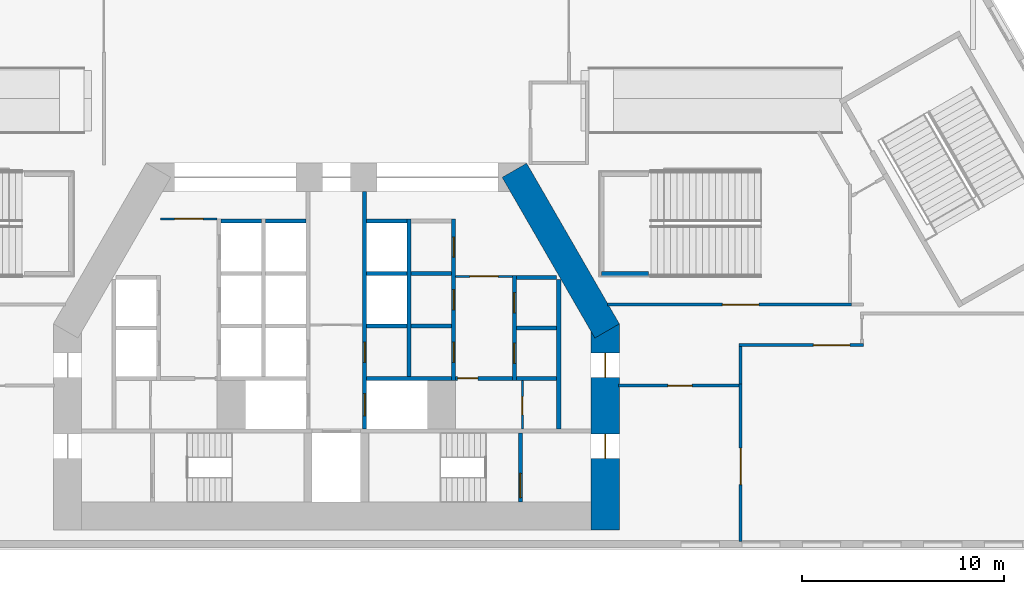
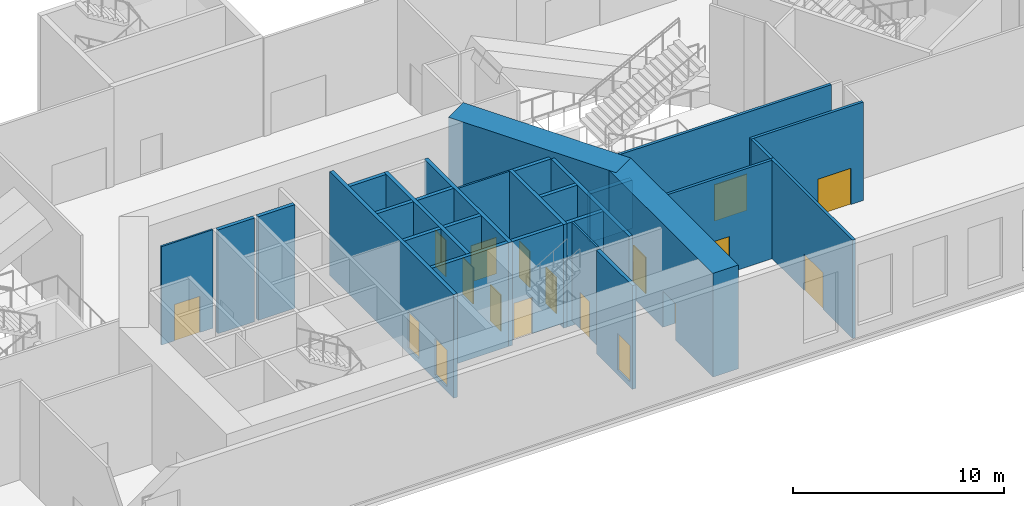
# One storey, part 4 of 16: 29 walls, 18 doors, 18 openings.
"""IFC4 building model written with IfcOpenShell, lengths in metres."""

from ifc_helpers import new_model, si_unit, direction, frame, frame_2d, origin, place, context, subcontext, project, spatial, rectangle, extrude, material, layer, layer_set, type_object, element, fill, save


model = new_model("IFC4")

# Units and contexts
model_context = context("Model", 3, precision=1e-05, world=origin(), true_north=direction((0.0, 1.0)))
body_context = subcontext(model_context, "Body", "Model", "MODEL_VIEW")
ifc_project = project(units=[si_unit("LENGTHUNIT", "METRE"), si_unit("AREAUNIT", "SQUARE_METRE"), si_unit("VOLUMEUNIT", "CUBIC_METRE"), si_unit("PLANEANGLEUNIT", "RADIAN"), si_unit("MASSUNIT", "GRAM", prefix="KILO")], contexts=[model_context])

# Site, building, storey
site_placement = place(None, origin())
site = spatial("IfcSite", under=ifc_project, at=site_placement, CompositionType="ELEMENT")
building_placement = place(site_placement, origin())
building = spatial("IfcBuilding", under=site, at=building_placement, Name="Fogline Exchange Tower", CompositionType="ELEMENT")
storey_placement = place(building_placement, frame((0.0, 0.0, 14.0)))
storey = spatial("IfcBuildingStorey", under=building, at=storey_placement, Name="L02", CompositionType="ELEMENT", Elevation=14.0)

# Wall, opening, door
ifc_material_1 = material(Name="Blockwork partition", Category="masonry")
ifc_layer_1 = layer(ifc_material_1, 0.10009765625)
ifc_layer_set_1 = layer_set([ifc_layer_1], Name="CW10")
wall_type_1 = type_object("IfcWallType", Name="CW10", PredefinedType="PARTITIONING", material=ifc_layer_set_1)
wall_1_placement = place(storey_placement, frame((-8.699951171875, 16.25, 0.0), z_axis=(0.0, 0.0, 1.0), x_axis=(1.0, 0.0, 0.0)))
wall_1 = element("IfcWall", 1, at=wall_1_placement, inside=storey, type_object=wall_type_1, Name="Lift lobby partition", PredefinedType="PARTITIONING", context=body_context, shape_type="SweptSolid", body=[
    extrude(rectangle(XDim=2.800048828125, YDim=0.10009765625, at=frame_2d((1.39990234375, 0.0))), origin(), (0.0, 0.0, 1.0), 5.699951171875),
])
opening_1_placement = place(wall_1_placement, frame((0.699951171875, 0.0, 0.0)))
opening_1 = element("IfcOpeningElement", 2, at=opening_1_placement, cuts=wall_1, Name="Opening P02-C007", PredefinedType="OPENING", context=body_context, shape_type="SweptSolid", body=[
    extrude(rectangle(XDim=1.39990234375, YDim=2.10009765625, at=frame_2d((0.699951171875, 1.050048828125))), frame((0.0, 0.06005859375, 0.0), z_axis=(0.0, -1.0, 0.0), x_axis=(1.0, 0.0, 0.0)), (0.0, 0.0, 1.0), 0.1201171875),
])
ifc_material_2 = material(Name="Steel and timber fire door", Category="steel")
door_type_1 = type_object("IfcDoorType", Name="D-LB1", OperationType="DOUBLE_DOOR_SINGLE_SWING", PredefinedType="DOOR", material=ifc_material_2)
door_1_placement = place(opening_1_placement, origin())
door_1 = element("IfcDoor", 3, at=door_1_placement, inside=storey, type_object=door_type_1, Name="Door to lift lobby", OperationType="DOUBLE_DOOR_SINGLE_SWING", OverallHeight=2.10009765625, OverallWidth=1.39990234375, PredefinedType="DOOR", context=body_context, shape_type="SweptSolid", body=[
    extrude(rectangle(XDim=1.39990234375, YDim=2.10009765625, at=frame_2d((0.699951171875, 1.050048828125))), frame((0.0, 0.02490234375, 0.0), z_axis=(0.0, -1.0, 0.0), x_axis=(1.0, 0.0, 0.0)), (0.0, 0.0, 1.0), 0.050048828125),
])
fill(opening_1, door_1)

wall_2_placement = place(storey_placement, frame((5.89990234375, 13.39990234375, 0.0), z_axis=(0.0, 0.0, 1.0), x_axis=(1.0, 0.0, 0.0)))
wall_2 = element("IfcWall", 4, at=wall_2_placement, inside=storey, type_object=wall_type_1, Name="Lift lobby partition", PredefinedType="PARTITIONING", context=body_context, shape_type="SweptSolid", body=[
    extrude(rectangle(XDim=2.800048828125, YDim=0.10009765625, at=frame_2d((1.39990234375, 0.0))), origin(), (0.0, 0.0, 1.0), 5.699951171875),
])
opening_2_placement = place(wall_2_placement, frame((0.699951171875, 0.0, 0.0)))
opening_2 = element("IfcOpeningElement", 5, at=opening_2_placement, cuts=wall_2, Name="Opening P02-C013", PredefinedType="OPENING", context=body_context, shape_type="SweptSolid", body=[
    extrude(rectangle(XDim=1.39990234375, YDim=2.10009765625, at=frame_2d((0.699951171875, 1.050048828125))), frame((0.0, 0.06005859375, 0.0), z_axis=(0.0, -1.0, 0.0), x_axis=(1.0, 0.0, 0.0)), (0.0, 0.0, 1.0), 0.1201171875),
])
door_2_placement = place(opening_2_placement, frame((1.39990234375, 0.0, 0.0), z_axis=(0.0, 0.0, 1.0), x_axis=(-1.0, 0.0, 0.0)))
door_2 = element("IfcDoor", 6, at=door_2_placement, inside=storey, type_object=door_type_1, Name="Door to lift lobby", OperationType="DOUBLE_DOOR_SINGLE_SWING", OverallHeight=2.10009765625, OverallWidth=1.39990234375, PredefinedType="DOOR", context=body_context, shape_type="SweptSolid", body=[
    extrude(rectangle(XDim=1.39990234375, YDim=2.10009765625, at=frame_2d((0.699951171875, 1.050048828125))), frame((0.0, 0.02490234375, 0.0), z_axis=(0.0, -1.0, 0.0), x_axis=(1.0, 0.0, 0.0)), (0.0, 0.0, 1.0), 0.050048828125),
])
fill(opening_2, door_2)

wall_3_placement = place(storey_placement, frame((9.199951171875, 5.85009765625, 0.0), z_axis=(0.0, 0.0, 1.0), x_axis=(0.0, 1.0, 0.0)))
wall_3 = element("IfcWall", 7, at=wall_3_placement, inside=storey, type_object=wall_type_1, Name="WC partition", PredefinedType="PARTITIONING", context=body_context, shape_type="SweptSolid", body=[
    extrude(rectangle(XDim=2.39990234375, YDim=0.10009765625, at=frame_2d((1.199951171875, 0.0))), origin(), (0.0, 0.0, 1.0), 5.699951171875),
])
opening_3_placement = place(wall_3_placement, frame((0.699951171875, 0.0, 0.0)))
opening_3 = element("IfcOpeningElement", 8, at=opening_3_placement, cuts=wall_3, Name="Opening P02-C015", PredefinedType="OPENING", context=body_context, shape_type="SweptSolid", body=[
    extrude(rectangle(XDim=0.89990234375, YDim=2.10009765625, at=frame_2d((0.449951171875, 1.050048828125))), frame((0.0, 0.06005859375, 0.0), z_axis=(0.0, -1.0, 0.0), x_axis=(1.0, 0.0, 0.0)), (0.0, 0.0, 1.0), 0.1201171875),
])
door_type_2 = type_object("IfcDoorType", Name="D-CS1", OperationType="SINGLE_SWING_RIGHT", PredefinedType="DOOR", material=ifc_material_2)
door_3_placement = place(opening_3_placement, frame((0.89990234375, 0.0, 0.0), z_axis=(0.0, 0.0, 1.0), x_axis=(-1.0, 0.0, 0.0)))
door_3 = element("IfcDoor", 9, at=door_3_placement, inside=storey, type_object=door_type_2, Name="Door to Cleaner's Store", OperationType="SINGLE_SWING_RIGHT", OverallHeight=2.10009765625, OverallWidth=0.89990234375, PredefinedType="DOOR", context=body_context, shape_type="SweptSolid", body=[
    extrude(rectangle(XDim=0.89990234375, YDim=2.10009765625, at=frame_2d((0.449951171875, 1.050048828125))), frame((0.0, 0.02490234375, 0.0), z_axis=(0.0, -1.0, 0.0), x_axis=(1.0, 0.0, 0.0)), (0.0, 0.0, 1.0), 0.050048828125),
])
fill(opening_3, door_3)

# Wall
ifc_material_3 = material(Name="Concrete C40", Category="concrete")
ifc_layer_2 = layer(ifc_material_3, 0.199951171875)
ifc_layer_set_2 = layer_set([ifc_layer_2], Name="CW20")
wall_type_2 = type_object("IfcWallType", Name="CW20", PredefinedType="SOLIDWALL", material=ifc_layer_set_2)
wall_4_placement = place(storey_placement, frame((11.0, 5.85009765625, 0.0), z_axis=(0.0, 0.0, 1.0), x_axis=(0.0, 1.0, 0.0)))
element("IfcWall", 10, at=wall_4_placement, inside=storey, type_object=wall_type_2, Name="Service room wall", PredefinedType="SOLIDWALL", context=body_context, shape_type="SweptSolid", body=[
    extrude(rectangle(XDim=7.39990234375, YDim=0.199951171875, at=frame_2d((3.699951171875, 0.0))), origin(), (0.0, 0.0, 1.0), 5.699951171875),
])

# Wall, opening, door
wall_5_placement = place(storey_placement, frame((5.89990234375, 8.35009765625, 0.0), z_axis=(0.0, 0.0, 1.0), x_axis=(1.0, 0.0, 0.0)))
wall_5 = element("IfcWall", 11, at=wall_5_placement, inside=storey, type_object=wall_type_2, Name="WC wall", PredefinedType="SOLIDWALL", context=body_context, shape_type="SweptSolid", body=[
    extrude(rectangle(XDim=2.800048828125, YDim=0.199951171875, at=frame_2d((1.39990234375, 0.0))), origin(), (0.0, 0.0, 1.0), 5.699951171875),
])
opening_4_placement = place(wall_5_placement, frame((0.10009765625, 0.0, 0.0)))
opening_4 = element("IfcOpeningElement", 12, at=opening_4_placement, cuts=wall_5, Name="Opening P02-C014", PredefinedType="OPENING", context=body_context, shape_type="SweptSolid", body=[
    extrude(rectangle(XDim=1.0, YDim=2.10009765625, at=frame_2d((0.5, 1.050048828125))), frame((0.0, 0.10986328125, 0.0), z_axis=(0.0, -1.0, 0.0), x_axis=(1.0, 0.0, 0.0)), (0.0, 0.0, 1.0), 0.219970703125),
])
door_type_3 = type_object("IfcDoorType", Name="D-WC1", OperationType="SINGLE_SWING_LEFT", PredefinedType="DOOR", material=ifc_material_2)
door_4_placement = place(opening_4_placement, frame((1.0, 0.0, 0.0), z_axis=(0.0, 0.0, 1.0), x_axis=(-1.0, 0.0, 0.0)))
door_4 = element("IfcDoor", 13, at=door_4_placement, inside=storey, type_object=door_type_3, Name="Door to Women's WC", OperationType="SINGLE_SWING_RIGHT", OverallHeight=2.10009765625, OverallWidth=1.0, PredefinedType="DOOR", context=body_context, shape_type="SweptSolid", body=[
    extrude(rectangle(XDim=1.0, YDim=2.10009765625, at=frame_2d((0.5, 1.050048828125))), frame((0.0, 0.02490234375, 0.0), z_axis=(0.0, -1.0, 0.0), x_axis=(1.0, 0.0, 0.0)), (0.0, 0.0, 1.0), 0.050048828125),
])
fill(opening_4, door_4)

ifc_layer_3 = layer(ifc_material_3, 0.199951171875)
ifc_layer_set_3 = layer_set([ifc_layer_3], Name="CW20R")
wall_type_3 = type_object("IfcWallType", Name="CW20R", PredefinedType="SOLIDWALL", material=ifc_layer_set_3)
wall_6_placement = place(storey_placement, frame((9.10009765625, 2.25, -0.300048828125), z_axis=(0.0, 0.0, 1.0), x_axis=(0.0, 1.0, 0.0)))
wall_6 = element("IfcWall", 14, at=wall_6_placement, inside=storey, type_object=wall_type_3, Name="Stair enclosure wall", PredefinedType="SOLIDWALL", context=body_context, shape_type="SweptSolid", body=[
    extrude(rectangle(XDim=3.39990234375, YDim=0.199951171875, at=frame_2d((1.699951171875, 0.0))), origin(), (0.0, 0.0, 1.0), 6.0),
])
opening_5_placement = place(wall_6_placement, frame((0.199951171875, 0.0, 0.300048828125)))
opening_5 = element("IfcOpeningElement", 15, at=opening_5_placement, cuts=wall_6, Name="Opening P02-C017", PredefinedType="OPENING", context=body_context, shape_type="SweptSolid", body=[
    extrude(rectangle(XDim=1.199951171875, YDim=2.10009765625, at=frame_2d((0.60009765625, 1.050048828125))), frame((0.0, 0.10986328125, 0.0), z_axis=(0.0, -1.0, 0.0), x_axis=(1.0, 0.0, 0.0)), (0.0, 0.0, 1.0), 0.219970703125),
])
door_type_4 = type_object("IfcDoorType", Name="D-ST1", OperationType="SINGLE_SWING_LEFT", PredefinedType="DOOR", material=ifc_material_2)
door_5_placement = place(opening_5_placement, origin())
door_5 = element("IfcDoor", 16, at=door_5_placement, inside=storey, type_object=door_type_4, Name="Stair door ST2", OperationType="SINGLE_SWING_LEFT", OverallHeight=2.10009765625, OverallWidth=1.199951171875, PredefinedType="DOOR", context=body_context, shape_type="SweptSolid", body=[
    extrude(rectangle(XDim=1.199951171875, YDim=2.10009765625, at=frame_2d((0.60009765625, 1.050048828125))), frame((0.0, 0.02490234375, 0.0), z_axis=(0.0, -1.0, 0.0), x_axis=(1.0, 0.0, 0.0)), (0.0, 0.0, 1.0), 0.050048828125),
])
fill(opening_5, door_5)

# Wall, openings, doors
ifc_layer_4 = layer(ifc_material_3, 0.199951171875)
ifc_layer_set_4 = layer_set([ifc_layer_4], Name="CW20S")
wall_type_4 = type_object("IfcWallType", Name="CW20S", PredefinedType="SOLIDWALL", material=ifc_layer_set_4)
wall_7_placement = place(storey_placement, frame((8.800048828125, 8.25, -0.300048828125), z_axis=(0.0, 0.0, 1.0), x_axis=(0.0, 1.0, 0.0)))
wall_7 = element("IfcWall", 17, at=wall_7_placement, inside=storey, type_object=wall_type_4, Name="Lift shaft wall", PredefinedType="SOLIDWALL", context=body_context, shape_type="SweptSolid", body=[
    extrude(rectangle(XDim=5.199951171875, YDim=0.199951171875, at=frame_2d((2.60009765625, 0.0))), origin(), (0.0, 0.0, 1.0), 6.0),
])
opening_6_placement = place(wall_7_placement, frame((0.85009765625, 0.0, 0.300048828125)))
opening_6 = element("IfcOpeningElement", 18, at=opening_6_placement, cuts=wall_7, Name="Opening P02-C001", PredefinedType="OPENING", context=body_context, shape_type="SweptSolid", body=[
    extrude(rectangle(XDim=1.0, YDim=2.10009765625, at=frame_2d((0.5, 1.050048828125))), frame((0.0, 0.10986328125, 0.0), z_axis=(0.0, -1.0, 0.0), x_axis=(1.0, 0.0, 0.0)), (0.0, 0.0, 1.0), 0.219970703125),
])
opening_7_placement = place(wall_7_placement, frame((3.35009765625, 0.0, 0.300048828125)))
opening_7 = element("IfcOpeningElement", 19, at=opening_7_placement, cuts=wall_7, Name="Opening P02-C002", PredefinedType="OPENING", context=body_context, shape_type="SweptSolid", body=[
    extrude(rectangle(XDim=1.0, YDim=2.10009765625, at=frame_2d((0.5, 1.050048828125))), frame((0.0, 0.10986328125, 0.0), z_axis=(0.0, -1.0, 0.0), x_axis=(1.0, 0.0, 0.0)), (0.0, 0.0, 1.0), 0.219970703125),
])
door_type_5 = type_object("IfcDoorType", Name="D-RM1", OperationType="SINGLE_SWING_LEFT", PredefinedType="DOOR", material=ifc_material_2)
door_6_placement = place(opening_6_placement, frame((1.0, 0.0, 0.0), z_axis=(0.0, 0.0, 1.0), x_axis=(-1.0, 0.0, 0.0)))
door_6 = element("IfcDoor", 20, at=door_6_placement, inside=storey, type_object=door_type_5, Name="Door to Records Store", OperationType="SINGLE_SWING_LEFT", OverallHeight=2.10009765625, OverallWidth=1.0, PredefinedType="DOOR", context=body_context, shape_type="SweptSolid", body=[
    extrude(rectangle(XDim=1.0, YDim=2.10009765625, at=frame_2d((0.5, 1.050048828125))), frame((0.0, 0.02490234375, 0.0), z_axis=(0.0, -1.0, 0.0), x_axis=(1.0, 0.0, 0.0)), (0.0, 0.0, 1.0), 0.050048828125),
])
fill(opening_6, door_6)
door_7_placement = place(opening_7_placement, frame((1.0, 0.0, 0.0), z_axis=(0.0, 0.0, 1.0), x_axis=(-1.0, 0.0, 0.0)))
door_7 = element("IfcDoor", 21, at=door_7_placement, inside=storey, type_object=door_type_5, Name="Door to Riser Room", OperationType="SINGLE_SWING_LEFT", OverallHeight=2.10009765625, OverallWidth=1.0, PredefinedType="DOOR", context=body_context, shape_type="SweptSolid", body=[
    extrude(rectangle(XDim=1.0, YDim=2.10009765625, at=frame_2d((0.5, 1.050048828125))), frame((0.0, 0.02490234375, 0.0), z_axis=(0.0, -1.0, 0.0), x_axis=(1.0, 0.0, 0.0)), (0.0, 0.0, 1.0), 0.050048828125),
])
fill(opening_7, door_7)

wall_8_placement = place(storey_placement, frame((5.800048828125, 8.25, -0.300048828125), z_axis=(0.0, 0.0, 1.0), x_axis=(0.0, 1.0, 0.0)))
wall_8 = element("IfcWall", 22, at=wall_8_placement, inside=storey, type_object=wall_type_4, Name="Lift shaft wall", PredefinedType="SOLIDWALL", context=body_context, shape_type="SweptSolid", body=[
    extrude(rectangle(XDim=8.0, YDim=0.199951171875, at=frame_2d((4.0, 0.0))), origin(), (0.0, 0.0, 1.0), 6.0),
])
opening_8_placement = place(wall_8_placement, frame((0.89990234375, 0.0, 0.300048828125)))
opening_8 = element("IfcOpeningElement", 23, at=opening_8_placement, cuts=wall_8, Name="Opening P02-C003", PredefinedType="OPENING", context=body_context, shape_type="SweptSolid", body=[
    extrude(rectangle(XDim=1.0, YDim=2.10009765625, at=frame_2d((0.5, 1.050048828125))), frame((0.0, 0.10986328125, 0.0), z_axis=(0.0, -1.0, 0.0), x_axis=(1.0, 0.0, 0.0)), (0.0, 0.0, 1.0), 0.219970703125),
])
opening_9_placement = place(wall_8_placement, frame((3.5, 0.0, 0.300048828125)))
opening_9 = element("IfcOpeningElement", 24, at=opening_9_placement, cuts=wall_8, Name="Opening P02-C004", PredefinedType="OPENING", context=body_context, shape_type="SweptSolid", body=[
    extrude(rectangle(XDim=1.0, YDim=2.10009765625, at=frame_2d((0.5, 1.050048828125))), frame((0.0, 0.10986328125, 0.0), z_axis=(0.0, -1.0, 0.0), x_axis=(1.0, 0.0, 0.0)), (0.0, 0.0, 1.0), 0.219970703125),
])
opening_10_placement = place(wall_8_placement, frame((6.10009765625, 0.0, 0.300048828125)))
opening_10 = element("IfcOpeningElement", 25, at=opening_10_placement, cuts=wall_8, Name="Opening P02-C005", PredefinedType="OPENING", context=body_context, shape_type="SweptSolid", body=[
    extrude(rectangle(XDim=1.0, YDim=2.10009765625, at=frame_2d((0.5, 1.050048828125))), frame((0.0, 0.10986328125, 0.0), z_axis=(0.0, -1.0, 0.0), x_axis=(1.0, 0.0, 0.0)), (0.0, 0.0, 1.0), 0.219970703125),
])
door_8_placement = place(opening_8_placement, origin())
door_8 = element("IfcDoor", 26, at=door_8_placement, inside=storey, type_object=door_type_5, Name="Door to Plant Room", OperationType="SINGLE_SWING_RIGHT", OverallHeight=2.10009765625, OverallWidth=1.0, PredefinedType="DOOR", context=body_context, shape_type="SweptSolid", body=[
    extrude(rectangle(XDim=1.0, YDim=2.10009765625, at=frame_2d((0.5, 1.050048828125))), frame((0.0, 0.02490234375, 0.0), z_axis=(0.0, -1.0, 0.0), x_axis=(1.0, 0.0, 0.0)), (0.0, 0.0, 1.0), 0.050048828125),
])
fill(opening_8, door_8)
door_9_placement = place(opening_9_placement, origin())
door_9 = element("IfcDoor", 27, at=door_9_placement, inside=storey, type_object=door_type_5, Name="Door to Cable Store", OperationType="SINGLE_SWING_LEFT", OverallHeight=2.10009765625, OverallWidth=1.0, PredefinedType="DOOR", context=body_context, shape_type="SweptSolid", body=[
    extrude(rectangle(XDim=1.0, YDim=2.10009765625, at=frame_2d((0.5, 1.050048828125))), frame((0.0, 0.02490234375, 0.0), z_axis=(0.0, -1.0, 0.0), x_axis=(1.0, 0.0, 0.0)), (0.0, 0.0, 1.0), 0.050048828125),
])
fill(opening_9, door_9)
door_10_placement = place(opening_10_placement, origin())
door_10 = element("IfcDoor", 28, at=door_10_placement, inside=storey, type_object=door_type_5, Name="Door to Server Room", OperationType="SINGLE_SWING_LEFT", OverallHeight=2.10009765625, OverallWidth=1.0, PredefinedType="DOOR", context=body_context, shape_type="SweptSolid", body=[
    extrude(rectangle(XDim=1.0, YDim=2.10009765625, at=frame_2d((0.5, 1.050048828125))), frame((0.0, 0.02490234375, 0.0), z_axis=(0.0, -1.0, 0.0), x_axis=(1.0, 0.0, 0.0)), (0.0, 0.0, 1.0), 0.050048828125),
])
fill(opening_10, door_10)

# Wall
wall_9_placement = place(storey_placement, frame((3.60009765625, 8.449951171875, -0.300048828125), z_axis=(0.0, 0.0, 1.0), x_axis=(0.0, 1.0, 0.0)))
element("IfcWall", 29, at=wall_9_placement, inside=storey, type_object=wall_type_4, Name="Lift shaft wall", PredefinedType="SOLIDWALL", context=body_context, shape_type="SweptSolid", body=[
    extrude(rectangle(XDim=7.800048828125, YDim=0.199951171875, at=frame_2d((3.89990234375, 0.0))), origin(), (0.0, 0.0, 1.0), 6.0),
])

# Wall, openings, doors
wall_10_placement = place(storey_placement, frame((1.39990234375, 5.85009765625, -0.300048828125), z_axis=(0.0, 0.0, 1.0), x_axis=(0.0, 1.0, 0.0)))
wall_10 = element("IfcWall", 30, at=wall_10_placement, inside=storey, type_object=wall_type_4, Name="Lift lobby wall", PredefinedType="SOLIDWALL", context=body_context, shape_type="SweptSolid", body=[
    extrude(rectangle(XDim=11.75, YDim=0.199951171875, at=frame_2d((5.875, 0.0))), origin(), (0.0, 0.0, 1.0), 6.0),
])
opening_11_placement = place(wall_10_placement, frame((0.64990234375, 0.0, 0.300048828125)))
opening_11 = element("IfcOpeningElement", 31, at=opening_11_placement, cuts=wall_10, Name="Opening P02-LD08", PredefinedType="OPENING", context=body_context, shape_type="SweptSolid", body=[
    extrude(rectangle(XDim=1.10009765625, YDim=2.10009765625, at=frame_2d((0.550048828125, 1.050048828125))), frame((0.0, 0.10986328125, 0.0), z_axis=(0.0, -1.0, 0.0), x_axis=(1.0, 0.0, 0.0)), (0.0, 0.0, 1.0), 0.219970703125),
])
opening_12_placement = place(wall_10_placement, frame((3.300048828125, 0.0, 0.300048828125)))
opening_12 = element("IfcOpeningElement", 32, at=opening_12_placement, cuts=wall_10, Name="Opening P02-C006", PredefinedType="OPENING", context=body_context, shape_type="SweptSolid", body=[
    extrude(rectangle(XDim=1.0, YDim=2.10009765625, at=frame_2d((0.5, 1.050048828125))), frame((0.0, 0.10986328125, 0.0), z_axis=(0.0, -1.0, 0.0), x_axis=(1.0, 0.0, 0.0)), (0.0, 0.0, 1.0), 0.219970703125),
])
door_11_placement = place(opening_12_placement, frame((1.0, 0.0, 0.0), z_axis=(0.0, 0.0, 1.0), x_axis=(-1.0, 0.0, 0.0)))
door_11 = element("IfcDoor", 33, at=door_11_placement, inside=storey, type_object=door_type_5, Name="Door to Archive Store", OperationType="SINGLE_SWING_RIGHT", OverallHeight=2.10009765625, OverallWidth=1.0, PredefinedType="DOOR", context=body_context, shape_type="SweptSolid", body=[
    extrude(rectangle(XDim=1.0, YDim=2.10009765625, at=frame_2d((0.5, 1.050048828125))), frame((0.0, 0.02490234375, 0.0), z_axis=(0.0, -1.0, 0.0), x_axis=(1.0, 0.0, 0.0)), (0.0, 0.0, 1.0), 0.050048828125),
])
fill(opening_12, door_11)
door_type_6 = type_object("IfcDoorType", Name="LD2", OperationType="SLIDING_TO_RIGHT", PredefinedType="DOOR", material=ifc_material_2)
door_12_placement = place(opening_11_placement, origin())
door_12 = element("IfcDoor", 34, at=door_12_placement, inside=storey, type_object=door_type_6, Name="Landing door FF2", OperationType="SLIDING_TO_RIGHT", OverallHeight=2.10009765625, OverallWidth=1.10009765625, PredefinedType="DOOR", context=body_context, shape_type="SweptSolid", body=[
    extrude(rectangle(XDim=1.10009765625, YDim=2.10009765625, at=frame_2d((0.550048828125, 1.050048828125))), frame((0.0, 0.02490234375, 0.0), z_axis=(0.0, -1.0, 0.0), x_axis=(1.0, 0.0, 0.0)), (0.0, 0.0, 1.0), 0.050048828125),
])
fill(opening_11, door_12)

# Walls
wall_11_placement = place(storey_placement, frame((8.89990234375, 8.35009765625, -0.300048828125), z_axis=(0.0, 0.0, 1.0), x_axis=(1.0, 0.0, 0.0)))
element("IfcWall", 35, at=wall_11_placement, inside=storey, type_object=wall_type_4, Name="Lift shaft wall", PredefinedType="SOLIDWALL", context=body_context, shape_type="SweptSolid", body=[
    extrude(rectangle(XDim=2.0, YDim=0.199951171875, at=frame_2d((1.0, 0.0))), origin(), (0.0, 0.0, 1.0), 6.0),
])
wall_12_placement = place(storey_placement, frame((1.5, 8.35009765625, -0.300048828125), z_axis=(0.0, 0.0, 1.0), x_axis=(1.0, 0.0, 0.0)))
element("IfcWall", 36, at=wall_12_placement, inside=storey, type_object=wall_type_4, Name="Lift shaft wall", PredefinedType="SOLIDWALL", context=body_context, shape_type="SweptSolid", body=[
    extrude(rectangle(XDim=4.199951171875, YDim=0.199951171875, at=frame_2d((2.10009765625, 0.0))), origin(), (0.0, 0.0, 1.0), 6.0),
])
for number, where, z_axis, x_axis, name in (
    (37, (-5.699951171875, 16.14990234375, -0.300048828125), (0.0, 0.0, 1.0), (1.0, 0.0, 0.0), "Lift shaft wall"),
    (38, (-3.5, 16.14990234375, -0.300048828125), (0.0, 0.0, 1.0), (1.0, 0.0, 0.0), "Lift shaft wall"),
    (39, (8.89990234375, 10.85009765625, -0.300048828125), (0.0, 0.0, 1.0), (1.0, 0.0, 0.0), "Lift shaft wall"),
    (40, (8.89990234375, 13.35009765625, -0.300048828125), (0.0, 0.0, 1.0), (1.0, 0.0, 0.0), "Lift shaft wall"),
    (41, (3.699951171875, 10.949951171875, -0.300048828125), (0.0, 0.0, 1.0), (1.0, 0.0, 0.0), "Lift shaft wall"),
    (42, (3.699951171875, 13.550048828125, -0.300048828125), (0.0, 0.0, 1.0), (1.0, 0.0, 0.0), "Lift shaft wall"),
    (43, (1.5, 10.949951171875, -0.300048828125), (0.0, 0.0, 1.0), (1.0, 0.0, 0.0), "Lift shaft wall"),
    (44, (1.5, 13.550048828125, -0.300048828125), (0.0, 0.0, 1.0), (1.0, 0.0, 0.0), "Lift shaft wall"),
    (45, (1.5, 16.14990234375, -0.300048828125), (0.0, 0.0, 1.0), (1.0, 0.0, 0.0), "Lift shaft wall"),
):
    element("IfcWall", number, at=place(storey_placement, frame(where, z_axis=z_axis, x_axis=x_axis)), inside=storey, type_object=wall_type_4, Name=name, PredefinedType="SOLIDWALL", context=body_context, shape_type="SweptSolid", body=[
        extrude(rectangle(XDim=2.0, YDim=0.199951171875, at=frame_2d((1.0, 0.0))), origin(), (0.0, 0.0, 1.0), 6.0),
    ])

# Wall, opening, door
ifc_material_4 = material(Name="Plasterboard on steel stud", Category="steel")
ifc_layer_5 = layer(ifc_material_4, 0.14990234375)
ifc_layer_set_5 = layer_set([ifc_layer_5], Name="PP1")
wall_type_5 = type_object("IfcWallType", Name="PP1", PredefinedType="PARTITIONING", material=ifc_layer_set_5)
wall_13_placement = place(storey_placement, frame((20.0, 0.294921875, 0.0), z_axis=(0.0, 0.0, 1.0), x_axis=(0.0, 1.0, 0.0)))
wall_13 = element("IfcWall", 46, at=wall_13_placement, inside=storey, type_object=wall_type_5, Name="PP1 partition", PredefinedType="PARTITIONING", context=body_context, shape_type="SweptSolid", body=[
    extrude(rectangle(XDim=7.780029296875, YDim=0.14990234375, at=frame_2d((3.89013671875, 0.0))), origin(), (0.0, 0.0, 1.0), 5.699951171875),
])
opening_13_placement = place(wall_13_placement, frame((2.804931640625, 0.0, 0.0)))
opening_13 = element("IfcOpeningElement", 47, at=opening_13_placement, cuts=wall_13, Name="Opening P02-D014", PredefinedType="OPENING", context=body_context, shape_type="SweptSolid", body=[
    extrude(rectangle(XDim=1.800048828125, YDim=2.10009765625, at=frame_2d((0.89990234375, 1.050048828125))), frame((0.0, 0.0849609375, 0.0), z_axis=(0.0, -1.0, 0.0), x_axis=(1.0, 0.0, 0.0)), (0.0, 0.0, 1.0), 0.169921875),
])
ifc_material_5 = material(Name="Timber", Category="wood")
door_type_7 = type_object("IfcDoorType", Name="PD3", OperationType="DOUBLE_DOOR_SINGLE_SWING", PredefinedType="DOOR", material=ifc_material_5)
door_13_placement = place(opening_13_placement, frame((1.800048828125, 0.0, 0.0), z_axis=(0.0, 0.0, 1.0), x_axis=(-1.0, 0.0, 0.0)))
door_13 = element("IfcDoor", 48, at=door_13_placement, inside=storey, type_object=door_type_7, Name="P02-D014", OperationType="DOUBLE_DOOR_SINGLE_SWING", OverallHeight=2.10009765625, OverallWidth=1.800048828125, PredefinedType="DOOR", context=body_context, shape_type="SweptSolid", body=[
    extrude(rectangle(XDim=1.800048828125, YDim=2.10009765625, at=frame_2d((0.89990234375, 1.050048828125))), frame((0.0, 0.02490234375, 0.0), z_axis=(0.0, -1.0, 0.0), x_axis=(1.0, 0.0, 0.0)), (0.0, 0.0, 1.0), 0.050048828125),
])
fill(opening_13, door_13)

wall_14_placement = place(storey_placement, frame((13.955078125, 8.0, 0.0), z_axis=(0.0, 0.0, 1.0), x_axis=(1.0, 0.0, 0.0)))
wall_14 = element("IfcWall", 49, at=wall_14_placement, inside=storey, type_object=wall_type_5, Name="PP1 partition", PredefinedType="PARTITIONING", context=body_context, shape_type="SweptSolid", body=[
    extrude(rectangle(XDim=5.969970703125, YDim=0.14990234375, at=frame_2d((2.98486328125, 0.0))), origin(), (0.0, 0.0, 1.0), 5.699951171875),
])
opening_14_placement = place(wall_14_placement, frame((2.445068359375, 0.0, 0.0)))
opening_14 = element("IfcOpeningElement", 50, at=opening_14_placement, cuts=wall_14, Name="Opening P02-D009", PredefinedType="OPENING", context=body_context, shape_type="SweptSolid", body=[
    extrude(rectangle(XDim=1.199951171875, YDim=2.10009765625, at=frame_2d((0.60009765625, 1.050048828125))), frame((0.0, 0.0849609375, 0.0), z_axis=(0.0, -1.0, 0.0), x_axis=(1.0, 0.0, 0.0)), (0.0, 0.0, 1.0), 0.169921875),
])
ifc_material_6 = material(Name="Steel Q235B", Category="steel")
door_type_8 = type_object("IfcDoorType", Name="PD7", OperationType="SINGLE_SWING_LEFT", PredefinedType="DOOR", material=ifc_material_6)
door_14_placement = place(opening_14_placement, origin())
door_14 = element("IfcDoor", 51, at=door_14_placement, inside=storey, type_object=door_type_8, Name="P02-D009", OperationType="SINGLE_SWING_RIGHT", OverallHeight=2.10009765625, OverallWidth=1.199951171875, PredefinedType="DOOR", context=body_context, shape_type="SweptSolid", body=[
    extrude(rectangle(XDim=1.199951171875, YDim=2.10009765625, at=frame_2d((0.60009765625, 1.050048828125))), frame((0.0, 0.02490234375, 0.0), z_axis=(0.0, -1.0, 0.0), x_axis=(1.0, 0.0, 0.0)), (0.0, 0.0, 1.0), 0.050048828125),
])
fill(opening_14, door_14)

# Wall
wall_15_placement = place(storey_placement, frame((20.0, 8.074951171875, 0.0), z_axis=(0.0, 0.0, 1.0), x_axis=(0.0, 1.0, 0.0)))
element("IfcWall", 52, at=wall_15_placement, inside=storey, type_object=wall_type_5, Name="PP1 partition", PredefinedType="PARTITIONING", context=body_context, shape_type="SweptSolid", body=[
    extrude(rectangle(XDim=1.85009765625, YDim=0.14990234375, at=frame_2d((0.925048828125, 0.0))), origin(), (0.0, 0.0, 1.0), 5.699951171875),
])

# Wall, opening, door
wall_16_placement = place(storey_placement, frame((19.925048828125, 10.0, 0.0), z_axis=(0.0, 0.0, 1.0), x_axis=(1.0, 0.0, 0.0)))
wall_16 = element("IfcWall", 53, at=wall_16_placement, inside=storey, type_object=wall_type_5, Name="PP1 partition", PredefinedType="PARTITIONING", context=body_context, shape_type="SweptSolid", body=[
    extrude(rectangle(XDim=6.14990234375, YDim=0.14990234375, at=frame_2d((3.074951171875, 0.0))), origin(), (0.0, 0.0, 1.0), 5.699951171875),
])
opening_15_placement = place(wall_16_placement, frame((3.675048828125, 0.0, 0.0)))
opening_15 = element("IfcOpeningElement", 54, at=opening_15_placement, cuts=wall_16, Name="Opening P02-D015", PredefinedType="OPENING", context=body_context, shape_type="SweptSolid", body=[
    extrude(rectangle(XDim=1.800048828125, YDim=2.10009765625, at=frame_2d((0.89990234375, 1.050048828125))), frame((0.0, 0.0849609375, 0.0), z_axis=(0.0, -1.0, 0.0), x_axis=(1.0, 0.0, 0.0)), (0.0, 0.0, 1.0), 0.169921875),
])
door_15_placement = place(opening_15_placement, frame((1.800048828125, 0.0, 0.0), z_axis=(0.0, 0.0, 1.0), x_axis=(-1.0, 0.0, 0.0)))
door_15 = element("IfcDoor", 55, at=door_15_placement, inside=storey, type_object=door_type_7, Name="P02-D015", OperationType="DOUBLE_DOOR_SINGLE_SWING", OverallHeight=2.10009765625, OverallWidth=1.800048828125, PredefinedType="DOOR", context=body_context, shape_type="SweptSolid", body=[
    extrude(rectangle(XDim=1.800048828125, YDim=2.10009765625, at=frame_2d((0.89990234375, 1.050048828125))), frame((0.0, 0.02490234375, 0.0), z_axis=(0.0, -1.0, 0.0), x_axis=(1.0, 0.0, 0.0)), (0.0, 0.0, 1.0), 0.050048828125),
])
fill(opening_15, door_15)

wall_17_placement = place(storey_placement, frame((13.41259765625, 12.0, 0.0), z_axis=(0.0, 0.0, 1.0), x_axis=(1.0, 0.0, 0.0)))
wall_17 = element("IfcWall", 56, at=wall_17_placement, inside=storey, type_object=wall_type_5, Name="PP1 partition", PredefinedType="PARTITIONING", context=body_context, shape_type="SweptSolid", body=[
    extrude(rectangle(XDim=12.0625, YDim=0.14990234375, at=frame_2d((6.03125, 0.0))), origin(), (0.0, 0.0, 1.0), 5.699951171875),
])
opening_16_placement = place(wall_17_placement, frame((5.6875, 0.0, 0.0)))
opening_16 = element("IfcOpeningElement", 57, at=opening_16_placement, cuts=wall_17, Name="Opening P02-D011", PredefinedType="OPENING", context=body_context, shape_type="SweptSolid", body=[
    extrude(rectangle(XDim=1.800048828125, YDim=2.10009765625, at=frame_2d((0.89990234375, 1.050048828125))), frame((0.0, 0.0849609375, 0.0), z_axis=(0.0, -1.0, 0.0), x_axis=(1.0, 0.0, 0.0)), (0.0, 0.0, 1.0), 0.169921875),
])
door_16_placement = place(opening_16_placement, frame((1.800048828125, 0.0, 0.0), z_axis=(0.0, 0.0, 1.0), x_axis=(-1.0, 0.0, 0.0)))
door_16 = element("IfcDoor", 58, at=door_16_placement, inside=storey, type_object=door_type_7, Name="P02-D011", OperationType="DOUBLE_DOOR_SINGLE_SWING", OverallHeight=2.10009765625, OverallWidth=1.800048828125, PredefinedType="DOOR", context=body_context, shape_type="SweptSolid", body=[
    extrude(rectangle(XDim=1.800048828125, YDim=2.10009765625, at=frame_2d((0.89990234375, 1.050048828125))), frame((0.0, 0.02490234375, 0.0), z_axis=(0.0, -1.0, 0.0), x_axis=(1.0, 0.0, 0.0)), (0.0, 0.0, 1.0), 0.050048828125),
])
fill(opening_16, door_16)

# Wall
ifc_layer_6 = layer(ifc_material_3, 0.25)
ifc_layer_set_6 = layer_set([ifc_layer_6], Name="PP6")
wall_type_6 = type_object("IfcWallType", Name="PP6", PredefinedType="SOLIDWALL", material=ifc_layer_set_6)
wall_18_placement = place(storey_placement, frame((13.125, 13.52490234375, 0.0), z_axis=(0.0, 0.0, 1.0), x_axis=(1.0, 0.0, 0.0)))
element("IfcWall", 59, at=wall_18_placement, inside=storey, type_object=wall_type_6, Name="PP6 bearing wall", PredefinedType="SOLIDWALL", context=body_context, shape_type="SweptSolid", body=[
    extrude(rectangle(XDim=2.31005859375, YDim=0.25, at=frame_2d((1.155029296875, 0.0))), origin(), (0.0, 0.0, 1.0), 2.800048828125),
])

# Wall, openings, doors
ifc_material_7 = material(Name="Concrete C60", Category="concrete")
ifc_layer_7 = layer(ifc_material_7, 1.39990234375)
ifc_layer_set_7 = layer_set([ifc_layer_7], Name="SW01")
wall_type_7 = type_object("IfcWallType", Name="SW01", PredefinedType="SHEAR", material=ifc_layer_set_7)
wall_19_placement = place(storey_placement, frame((13.300048828125, 0.85009765625, 0.0), z_axis=(0.0, 0.0, 1.0), x_axis=(0.0, 1.0, 0.0)))
wall_19 = element("IfcWall", 60, at=wall_19_placement, inside=storey, type_object=wall_type_7, Name="L02-W902", PredefinedType="SHEAR", context=body_context, shape_type="SweptSolid", body=[
    extrude(rectangle(XDim=10.202392578125, YDim=1.39990234375, at=frame_2d((5.10107421875, 0.0))), origin(), (0.0, 0.0, 1.0), 6.0),
])
opening_17_placement = place(wall_19_placement, frame((3.550048828125, 0.0, 0.0)))
opening_17 = element("IfcOpeningElement", 61, at=opening_17_placement, cuts=wall_19, Name="Opening P02-C016", PredefinedType="OPENING", context=body_context, shape_type="SweptSolid", body=[
    extrude(rectangle(XDim=1.199951171875, YDim=2.10009765625, at=frame_2d((0.60009765625, 1.050048828125))), frame((0.0, 0.7099609375, 0.0), z_axis=(0.0, -1.0, 0.0), x_axis=(1.0, 0.0, 0.0)), (0.0, 0.0, 1.0), 1.419921875),
])
opening_18_placement = place(wall_19_placement, frame((7.550048828125, 0.0, 0.0)))
opening_18 = element("IfcOpeningElement", 62, at=opening_18_placement, cuts=wall_19, Name="Opening P02-C018", PredefinedType="OPENING", context=body_context, shape_type="SweptSolid", body=[
    extrude(rectangle(XDim=1.199951171875, YDim=2.10009765625, at=frame_2d((0.60009765625, 1.050048828125))), frame((0.0, 0.7099609375, 0.0), z_axis=(0.0, -1.0, 0.0), x_axis=(1.0, 0.0, 0.0)), (0.0, 0.0, 1.0), 1.419921875),
])
door_type_9 = type_object("IfcDoorType", Name="D-FR1", OperationType="SINGLE_SWING_RIGHT", PredefinedType="DOOR", material=ifc_material_2)
door_17_placement = place(opening_17_placement, origin())
door_17 = element("IfcDoor", 63, at=door_17_placement, inside=storey, type_object=door_type_9, Name="Front room door ST2", OperationType="SINGLE_SWING_RIGHT", OverallHeight=2.10009765625, OverallWidth=1.199951171875, PredefinedType="DOOR", context=body_context, shape_type="SweptSolid", body=[
    extrude(rectangle(XDim=1.199951171875, YDim=2.10009765625, at=frame_2d((0.60009765625, 1.050048828125))), frame((0.0, 0.02490234375, 0.0), z_axis=(0.0, -1.0, 0.0), x_axis=(1.0, 0.0, 0.0)), (0.0, 0.0, 1.0), 0.050048828125),
])
fill(opening_17, door_17)
door_type_10 = type_object("IfcDoorType", Name="D-SV1", OperationType="SINGLE_SWING_LEFT", PredefinedType="DOOR", material=ifc_material_2)
door_18_placement = place(opening_18_placement, origin())
door_18 = element("IfcDoor", 64, at=door_18_placement, inside=storey, type_object=door_type_10, Name="Service door E", OperationType="SINGLE_SWING_RIGHT", OverallHeight=2.10009765625, OverallWidth=1.199951171875, PredefinedType="DOOR", context=body_context, shape_type="SweptSolid", body=[
    extrude(rectangle(XDim=1.199951171875, YDim=2.10009765625, at=frame_2d((0.60009765625, 1.050048828125))), frame((0.0, 0.02490234375, 0.0), z_axis=(0.0, -1.0, 0.0), x_axis=(1.0, 0.0, 0.0)), (0.0, 0.0, 1.0), 0.050048828125),
])
fill(opening_18, door_18)

# Wall
wall_20_placement = place(storey_placement, frame((13.393798828125, 10.70263671875, 0.0), z_axis=(0.0, 0.0, 1.0), x_axis=(-0.50000187635, 0.866024320471, 0.0)))
element("IfcWall", 65, at=wall_20_placement, inside=storey, type_object=wall_type_7, Name="L02-W903", PredefinedType="SHEAR", context=body_context, shape_type="SweptSolid", body=[
    extrude(rectangle(XDim=9.1767578125, YDim=1.39990234375, at=frame_2d((4.58837890625, 0.0))), origin(), (0.0, 0.0, 1.0), 6.0),
])

save(model, "model.ifc")
